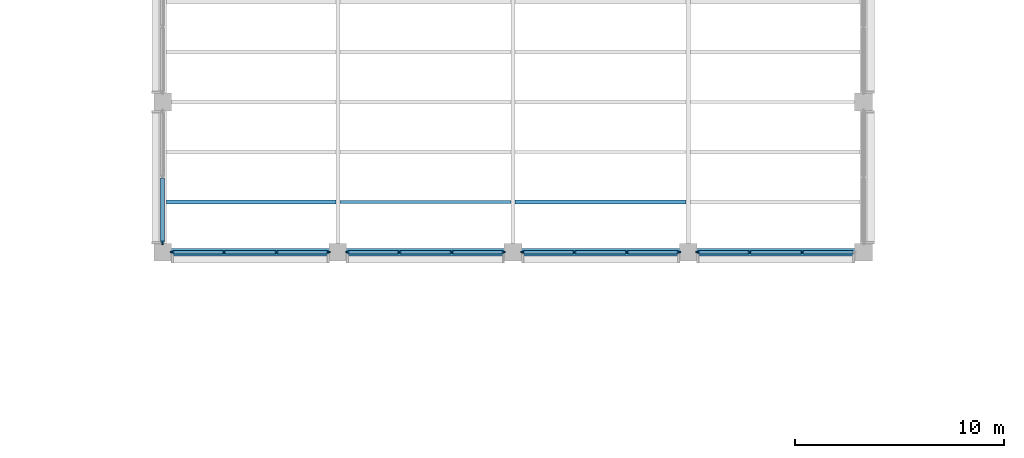
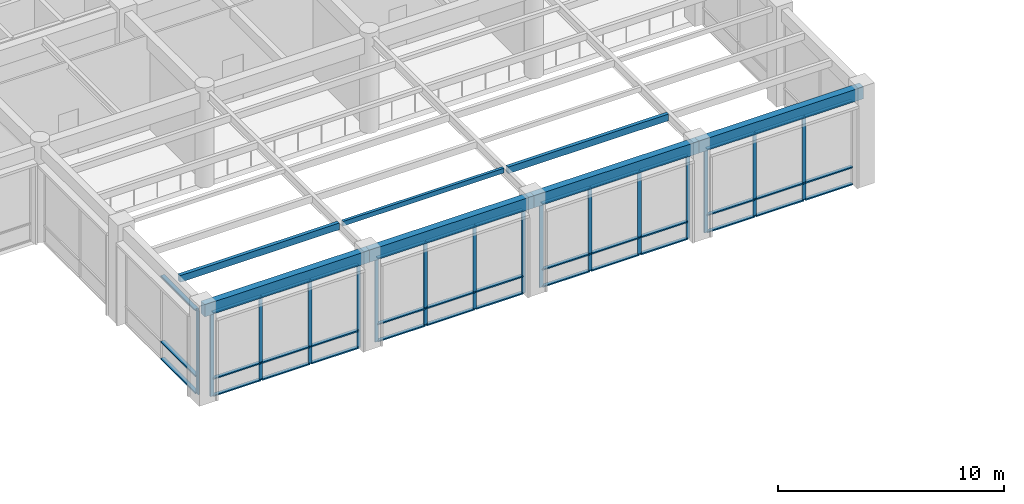
# One storey, part 8 of 58: 57 members, 5 beams, 5 elements without a shape of their own.
"""IFC4 building model written with IfcOpenShell, lengths in metres."""

from ifc_helpers import new_model, si_unit, direction, frame, origin, origin_2d, place, context, subcontext, project, spatial, rectangle, hollow_rectangle, extrude, material, layer, layer_set, material_profile, profile_set, type_object, element, aggregate, save


model = new_model("IFC4")

# Units and contexts
model_context = context("Model", 3, precision=1e-05, world=origin(), true_north=direction((0.0, 1.0)))
body_context = subcontext(model_context, "Body", "Model", "MODEL_VIEW")
ifc_project = project(units=[si_unit("LENGTHUNIT", "METRE"), si_unit("AREAUNIT", "SQUARE_METRE"), si_unit("VOLUMEUNIT", "CUBIC_METRE"), si_unit("PLANEANGLEUNIT", "RADIAN"), si_unit("MASSUNIT", "GRAM", prefix="KILO")], contexts=[model_context])

# Site, building, storey
site_placement = place(None, origin())
site = spatial("IfcSite", under=ifc_project, at=site_placement, CompositionType="ELEMENT")
building_placement = place(site_placement, origin())
building = spatial("IfcBuilding", under=site, at=building_placement, Name="Chengyuan Square Courthouse", CompositionType="ELEMENT")
storey_placement = place(building_placement, frame((0.0, 0.0, 16.199951171875)))
storey = spatial("IfcBuildingStorey", under=building, at=storey_placement, Name="L04", CompositionType="ELEMENT", Elevation=16.199951171875)

# Beams
ifc_material_1 = material(Name="Concrete C40", Category="concrete")
ifc_material_profile_1 = material_profile(ifc_material_1, rectangle(XDim=0.35009765625, YDim=0.64990234375, at=origin_2d()), Name="RC-BM-350x650")
ifc_profile_set_1 = profile_set([ifc_material_profile_1], Name="Concrete C40")
beam_type_1 = type_object("IfcBeamType", Name="BM-03", PredefinedType="SPANDREL", material=ifc_profile_set_1)
beam_1_placement = place(storey_placement, frame((67.199951171875, 64.800048828125, 4.85498046875), z_axis=(1.0, 0.0, 0.0), x_axis=(0.0, 1.0, 0.0)))
element("IfcBeam", 1, at=beam_1_placement, inside=storey, type_object=beam_type_1, Name="Girder BM-L04-2854", PredefinedType="SPANDREL", context=body_context, shape_type="SweptSolid", body=[
    extrude(rectangle(XDim=0.35009765625, YDim=0.64990234375, at=origin_2d()), origin(), (0.0, 0.0, 1.0), 8.400146484375),
])
for number, where, z_axis, x_axis, name in (
    (2, (75.60009765625, 64.800048828125, 4.85498046875), (1.0, 0.0, 0.0), (0.0, 1.0, 0.0), "Girder BM-L04-2855"),
    (3, (84.0, 64.800048828125, 4.85498046875), (1.0, 0.0, 0.0), (0.0, 1.0, 0.0), "Girder BM-L04-2856"),
):
    element("IfcBeam", number, at=place(storey_placement, frame(where, z_axis=z_axis, x_axis=x_axis)), inside=storey, type_object=beam_type_1, Name=name, PredefinedType="SPANDREL", context=body_context, shape_type="SweptSolid", body=[
        extrude(rectangle(XDim=0.35009765625, YDim=0.64990234375, at=origin_2d()), origin(), (0.0, 0.0, 1.0), 8.39990234375),
    ])
beam_2_placement = place(storey_placement, frame((92.39990234375, 64.800048828125, 4.85498046875), z_axis=(1.0, 0.0, 0.0), x_axis=(0.0, 1.0, 0.0)))
element("IfcBeam", 4, at=beam_2_placement, inside=storey, type_object=beam_type_1, Name="Girder BM-L04-2857", PredefinedType="SPANDREL", context=body_context, shape_type="SweptSolid", body=[
    extrude(rectangle(XDim=0.35009765625, YDim=0.64990234375, at=origin_2d()), origin(), (0.0, 0.0, 1.0), 8.400146484375),
])
ifc_material_2 = material(Name="Steel Q355B", Category="steel")
ifc_material_profile_2 = material_profile(ifc_material_2, hollow_rectangle(XDim=0.14990234375, YDim=0.25, WallThickness=0.010009765625, at=origin_2d()), Name="RHS 250x150x10")
ifc_profile_set_2 = profile_set([ifc_material_profile_2], Name="Steel Q355B")
beam_type_2 = type_object("IfcBeamType", Name="BM-10", PredefinedType="BEAM", material=ifc_profile_set_2)
beam_3_placement = place(storey_placement, frame((75.699951171875, 67.199951171875, 5.054931640625), z_axis=(1.0, 0.0, 0.0), x_axis=(0.0, 1.0, 0.0)))
element("IfcBeam", 5, at=beam_3_placement, inside=storey, type_object=beam_type_2, Name="Skylight Framing Beam SKB-L04-06", PredefinedType="BEAM", context=body_context, shape_type="SweptSolid", body=[
    extrude(hollow_rectangle(XDim=0.14990234375, YDim=0.25, WallThickness=0.010009765625, at=origin_2d()), origin(), (0.0, 0.0, 1.0), 8.199951171875),
])

# Curtain wall, members
ifc_material_3 = material(Name="Unitised Aluminium and Triple Low-E Glass", Category="aluminium")
ifc_layer_1 = layer(ifc_material_3, 0.179931640625)
ifc_layer_set_1 = layer_set([ifc_layer_1], Name="Unitised Aluminium and Triple Low-E Glass")
curtain_wall_type_1 = type_object("IfcCurtainWallType", Name="CW-10", PredefinedType="USERDEFINED", material=ifc_layer_set_1)
curtain_wall_1_placement = place(storey_placement, origin())
curtain_wall_1 = element("IfcCurtainWall", 6, at=curtain_wall_1_placement, inside=storey, type_object=curtain_wall_type_1, Name="Unitised Curtain Wall CW-L04-140", ObjectType="UNITISED CURTAIN WALL", PredefinedType="USERDEFINED")
ifc_material_4 = material(Name="Aluminium 6063-T6 Frame", Category="aluminium")
ifc_material_profile_3 = material_profile(ifc_material_4, rectangle(XDim=0.06494140625, YDim=0.179931640625, at=origin_2d()), Name="CW-MUL-65x180")
ifc_profile_set_3 = profile_set([ifc_material_profile_3], Name="Aluminium 6063-T6 Frame")
member_type_1 = type_object("IfcMemberType", Name="CWM-02", PredefinedType="MULLION", material=ifc_profile_set_3)
member_1_placement = place(storey_placement, frame((67.657470703125, 64.800048828125, 0.0), z_axis=(0.0, 0.0, 1.0), x_axis=(0.0, 1.0, 0.0)))
member_1 = element("IfcMember", 7, at=member_1_placement, type_object=member_type_1, Name="CW-10 mullion 1", PredefinedType="MULLION", context=body_context, shape_type="SweptSolid", body=[
    extrude(rectangle(XDim=0.06494140625, YDim=0.179931640625, at=origin_2d()), origin(), (0.0, 0.0, 1.0), 4.530029296875),
])
member_2_placement = place(storey_placement, frame((70.1416015625, 64.800048828125, 0.0), z_axis=(0.0, 0.0, 1.0), x_axis=(0.0, 1.0, 0.0)))
member_2 = element("IfcMember", 8, at=member_2_placement, type_object=member_type_1, Name="CW-10 mullion 2", PredefinedType="MULLION", context=body_context, shape_type="SweptSolid", body=[
    extrude(rectangle(XDim=0.06494140625, YDim=0.179931640625, at=origin_2d()), origin(), (0.0, 0.0, 1.0), 4.530029296875),
])
member_3_placement = place(storey_placement, frame((72.658447265625, 64.800048828125, 0.0), z_axis=(0.0, 0.0, 1.0), x_axis=(0.0, 1.0, 0.0)))
member_3 = element("IfcMember", 9, at=member_3_placement, type_object=member_type_1, Name="CW-10 mullion 3", PredefinedType="MULLION", context=body_context, shape_type="SweptSolid", body=[
    extrude(rectangle(XDim=0.06494140625, YDim=0.179931640625, at=origin_2d()), origin(), (0.0, 0.0, 1.0), 4.530029296875),
])
member_4_placement = place(storey_placement, frame((75.142578125, 64.800048828125, 0.0), z_axis=(0.0, 0.0, 1.0), x_axis=(0.0, 1.0, 0.0)))
member_4 = element("IfcMember", 10, at=member_4_placement, type_object=member_type_1, Name="CW-10 mullion 4", PredefinedType="MULLION", context=body_context, shape_type="SweptSolid", body=[
    extrude(rectangle(XDim=0.06494140625, YDim=0.179931640625, at=origin_2d()), origin(), (0.0, 0.0, 1.0), 4.530029296875),
])

curtain_wall_2_placement = place(storey_placement, origin())
curtain_wall_2 = element("IfcCurtainWall", 11, at=curtain_wall_2_placement, inside=storey, type_object=curtain_wall_type_1, Name="Unitised Curtain Wall CW-L04-143", ObjectType="UNITISED CURTAIN WALL", PredefinedType="USERDEFINED")
member_5_placement = place(storey_placement, frame((76.0576171875, 64.800048828125, 0.0), z_axis=(0.0, 0.0, 1.0), x_axis=(0.0, 1.0, 0.0)))
member_5 = element("IfcMember", 12, at=member_5_placement, type_object=member_type_1, Name="CW-10 mullion 1", PredefinedType="MULLION", context=body_context, shape_type="SweptSolid", body=[
    extrude(rectangle(XDim=0.06494140625, YDim=0.179931640625, at=origin_2d()), origin(), (0.0, 0.0, 1.0), 4.530029296875),
])
member_6_placement = place(storey_placement, frame((78.541748046875, 64.800048828125, 0.0), z_axis=(0.0, 0.0, 1.0), x_axis=(0.0, 1.0, 0.0)))
member_6 = element("IfcMember", 13, at=member_6_placement, type_object=member_type_1, Name="CW-10 mullion 2", PredefinedType="MULLION", context=body_context, shape_type="SweptSolid", body=[
    extrude(rectangle(XDim=0.06494140625, YDim=0.179931640625, at=origin_2d()), origin(), (0.0, 0.0, 1.0), 4.530029296875),
])
member_7_placement = place(storey_placement, frame((81.058349609375, 64.800048828125, 0.0), z_axis=(0.0, 0.0, 1.0), x_axis=(0.0, 1.0, 0.0)))
member_7 = element("IfcMember", 14, at=member_7_placement, type_object=member_type_1, Name="CW-10 mullion 3", PredefinedType="MULLION", context=body_context, shape_type="SweptSolid", body=[
    extrude(rectangle(XDim=0.06494140625, YDim=0.179931640625, at=origin_2d()), origin(), (0.0, 0.0, 1.0), 4.530029296875),
])
member_8_placement = place(storey_placement, frame((83.54248046875, 64.800048828125, 0.0), z_axis=(0.0, 0.0, 1.0), x_axis=(0.0, 1.0, 0.0)))
member_8 = element("IfcMember", 15, at=member_8_placement, type_object=member_type_1, Name="CW-10 mullion 4", PredefinedType="MULLION", context=body_context, shape_type="SweptSolid", body=[
    extrude(rectangle(XDim=0.06494140625, YDim=0.179931640625, at=origin_2d()), origin(), (0.0, 0.0, 1.0), 4.530029296875),
])

curtain_wall_3_placement = place(storey_placement, origin())
curtain_wall_3 = element("IfcCurtainWall", 16, at=curtain_wall_3_placement, inside=storey, type_object=curtain_wall_type_1, Name="Unitised Curtain Wall CW-L04-144", ObjectType="UNITISED CURTAIN WALL", PredefinedType="USERDEFINED")
member_9_placement = place(storey_placement, frame((84.45751953125, 64.800048828125, 0.0), z_axis=(0.0, 0.0, 1.0), x_axis=(0.0, 1.0, 0.0)))
member_9 = element("IfcMember", 17, at=member_9_placement, type_object=member_type_1, Name="CW-10 mullion 1", PredefinedType="MULLION", context=body_context, shape_type="SweptSolid", body=[
    extrude(rectangle(XDim=0.06494140625, YDim=0.179931640625, at=origin_2d()), origin(), (0.0, 0.0, 1.0), 4.530029296875),
])
member_10_placement = place(storey_placement, frame((86.941650390625, 64.800048828125, 0.0), z_axis=(0.0, 0.0, 1.0), x_axis=(0.0, 1.0, 0.0)))
member_10 = element("IfcMember", 18, at=member_10_placement, type_object=member_type_1, Name="CW-10 mullion 2", PredefinedType="MULLION", context=body_context, shape_type="SweptSolid", body=[
    extrude(rectangle(XDim=0.06494140625, YDim=0.179931640625, at=origin_2d()), origin(), (0.0, 0.0, 1.0), 4.530029296875),
])
member_11_placement = place(storey_placement, frame((89.458251953125, 64.800048828125, 0.0), z_axis=(0.0, 0.0, 1.0), x_axis=(0.0, 1.0, 0.0)))
member_11 = element("IfcMember", 19, at=member_11_placement, type_object=member_type_1, Name="CW-10 mullion 3", PredefinedType="MULLION", context=body_context, shape_type="SweptSolid", body=[
    extrude(rectangle(XDim=0.06494140625, YDim=0.179931640625, at=origin_2d()), origin(), (0.0, 0.0, 1.0), 4.530029296875),
])
member_12_placement = place(storey_placement, frame((91.9423828125, 64.800048828125, 0.0), z_axis=(0.0, 0.0, 1.0), x_axis=(0.0, 1.0, 0.0)))
member_12 = element("IfcMember", 20, at=member_12_placement, type_object=member_type_1, Name="CW-10 mullion 4", PredefinedType="MULLION", context=body_context, shape_type="SweptSolid", body=[
    extrude(rectangle(XDim=0.06494140625, YDim=0.179931640625, at=origin_2d()), origin(), (0.0, 0.0, 1.0), 4.530029296875),
])

curtain_wall_4_placement = place(storey_placement, origin())
curtain_wall_4 = element("IfcCurtainWall", 21, at=curtain_wall_4_placement, inside=storey, type_object=curtain_wall_type_1, Name="Unitised Curtain Wall CW-L04-145", ObjectType="UNITISED CURTAIN WALL", PredefinedType="USERDEFINED")
member_13_placement = place(storey_placement, frame((92.857421875, 64.800048828125, 0.0), z_axis=(0.0, 0.0, 1.0), x_axis=(0.0, 1.0, 0.0)))
member_13 = element("IfcMember", 22, at=member_13_placement, type_object=member_type_1, Name="CW-10 mullion 1", PredefinedType="MULLION", context=body_context, shape_type="SweptSolid", body=[
    extrude(rectangle(XDim=0.06494140625, YDim=0.179931640625, at=origin_2d()), origin(), (0.0, 0.0, 1.0), 4.530029296875),
])
member_14_placement = place(storey_placement, frame((95.341552734375, 64.800048828125, 0.0), z_axis=(0.0, 0.0, 1.0), x_axis=(0.0, 1.0, 0.0)))
member_14 = element("IfcMember", 23, at=member_14_placement, type_object=member_type_1, Name="CW-10 mullion 2", PredefinedType="MULLION", context=body_context, shape_type="SweptSolid", body=[
    extrude(rectangle(XDim=0.06494140625, YDim=0.179931640625, at=origin_2d()), origin(), (0.0, 0.0, 1.0), 4.530029296875),
])
member_15_placement = place(storey_placement, frame((97.8583984375, 64.800048828125, 0.0), z_axis=(0.0, 0.0, 1.0), x_axis=(0.0, 1.0, 0.0)))
member_15 = element("IfcMember", 24, at=member_15_placement, type_object=member_type_1, Name="CW-10 mullion 3", PredefinedType="MULLION", context=body_context, shape_type="SweptSolid", body=[
    extrude(rectangle(XDim=0.06494140625, YDim=0.179931640625, at=origin_2d()), origin(), (0.0, 0.0, 1.0), 4.530029296875),
])

# Curtain wall, member
ifc_layer_2 = layer(ifc_material_3, 0.199951171875)
ifc_layer_set_2 = layer_set([ifc_layer_2], Name="Unitised Aluminium and Triple Low-E Glass")
curtain_wall_type_2 = type_object("IfcCurtainWallType", Name="CW-23", PredefinedType="USERDEFINED", material=ifc_layer_set_2)
curtain_wall_5_placement = place(storey_placement, origin())
curtain_wall_5 = element("IfcCurtainWall", 25, at=curtain_wall_5_placement, inside=storey, type_object=curtain_wall_type_2, Name="Unitised Curtain Wall CW-L04-141", ObjectType="UNITISED CURTAIN WALL", PredefinedType="USERDEFINED")
ifc_material_profile_4 = material_profile(ifc_material_4, rectangle(XDim=0.070068359375, YDim=0.199951171875, at=origin_2d()), Name="CW-MUL-70x200")
ifc_profile_set_4 = profile_set([ifc_material_profile_4], Name="Aluminium 6063-T6 Frame")
member_type_2 = type_object("IfcMemberType", Name="CWM-03", PredefinedType="MULLION", material=ifc_profile_set_4)
member_16_placement = place(storey_placement, frame((67.199951171875, 65.260009765625, 0.0), z_axis=(0.0, 0.0, 1.0), x_axis=(-1.0, 0.0, 0.0)))
member_16 = element("IfcMember", 26, at=member_16_placement, type_object=member_type_2, Name="CW-23 mullion 1", PredefinedType="MULLION", context=body_context, shape_type="SweptSolid", body=[
    extrude(rectangle(XDim=0.070068359375, YDim=0.199951171875, at=origin_2d()), origin(), (0.0, 0.0, 1.0), 4.530029296875),
])

# Member
ifc_material_profile_5 = material_profile(ifc_material_4, rectangle(XDim=0.179931640625, YDim=0.06494140625, at=origin_2d()), Name="CW-TRN-65x140")
ifc_profile_set_5 = profile_set([ifc_material_profile_5], Name="Aluminium 6063-T6 Frame")
member_type_3 = type_object("IfcMemberType", Name="CWT-02", PredefinedType="USERDEFINED", material=ifc_profile_set_5)
member_17_placement = place(storey_placement, frame((67.68994140625, 64.800048828125, 0.032470703125), z_axis=(1.0, 0.0, 0.0), x_axis=(0.0, 1.0, 0.0)))
member_17 = element("IfcMember", 27, at=member_17_placement, type_object=member_type_3, Name="CW-10 transom 1.1", ObjectType="TRANSOM", PredefinedType="USERDEFINED", context=body_context, shape_type="SweptSolid", body=[
    extrude(rectangle(XDim=0.179931640625, YDim=0.06494140625, at=origin_2d()), origin(), (0.0, 0.0, 1.0), 2.419189453125),
])

member_18_placement = place(storey_placement, frame((67.68994140625, 64.800048828125, 0.949951171875), z_axis=(1.0, 0.0, 0.0), x_axis=(0.0, 1.0, 0.0)))
member_18 = element("IfcMember", 28, at=member_18_placement, type_object=member_type_3, Name="CW-10 transom 1.2", ObjectType="TRANSOM", PredefinedType="USERDEFINED", context=body_context, shape_type="SweptSolid", body=[
    extrude(rectangle(XDim=0.179931640625, YDim=0.06494140625, at=origin_2d()), origin(), (0.0, 0.0, 1.0), 2.419189453125),
])

member_19_placement = place(storey_placement, frame((67.68994140625, 64.800048828125, 4.49755859375), z_axis=(1.0, 0.0, 0.0), x_axis=(0.0, 1.0, 0.0)))
member_19 = element("IfcMember", 29, at=member_19_placement, type_object=member_type_3, Name="CW-10 transom 1.3", ObjectType="TRANSOM", PredefinedType="USERDEFINED", context=body_context, shape_type="SweptSolid", body=[
    extrude(rectangle(XDim=0.179931640625, YDim=0.06494140625, at=origin_2d()), origin(), (0.0, 0.0, 1.0), 2.419189453125),
])

member_20_placement = place(storey_placement, frame((70.174072265625, 64.800048828125, 0.032470703125), z_axis=(1.0, 0.0, 0.0), x_axis=(0.0, 1.0, 0.0)))
member_20 = element("IfcMember", 30, at=member_20_placement, type_object=member_type_3, Name="CW-10 transom 2.1", ObjectType="TRANSOM", PredefinedType="USERDEFINED", context=body_context, shape_type="SweptSolid", body=[
    extrude(rectangle(XDim=0.179931640625, YDim=0.06494140625, at=origin_2d()), origin(), (0.0, 0.0, 1.0), 2.45166015625),
])

member_21_placement = place(storey_placement, frame((70.174072265625, 64.800048828125, 0.949951171875), z_axis=(1.0, 0.0, 0.0), x_axis=(0.0, 1.0, 0.0)))
member_21 = element("IfcMember", 31, at=member_21_placement, type_object=member_type_3, Name="CW-10 transom 2.2", ObjectType="TRANSOM", PredefinedType="USERDEFINED", context=body_context, shape_type="SweptSolid", body=[
    extrude(rectangle(XDim=0.179931640625, YDim=0.06494140625, at=origin_2d()), origin(), (0.0, 0.0, 1.0), 2.45166015625),
])

member_22_placement = place(storey_placement, frame((70.174072265625, 64.800048828125, 4.49755859375), z_axis=(1.0, 0.0, 0.0), x_axis=(0.0, 1.0, 0.0)))
member_22 = element("IfcMember", 32, at=member_22_placement, type_object=member_type_3, Name="CW-10 transom 2.3", ObjectType="TRANSOM", PredefinedType="USERDEFINED", context=body_context, shape_type="SweptSolid", body=[
    extrude(rectangle(XDim=0.179931640625, YDim=0.06494140625, at=origin_2d()), origin(), (0.0, 0.0, 1.0), 2.45166015625),
])

member_23_placement = place(storey_placement, frame((72.69091796875, 64.800048828125, 0.032470703125), z_axis=(1.0, 0.0, 0.0), x_axis=(0.0, 1.0, 0.0)))
member_23 = element("IfcMember", 33, at=member_23_placement, type_object=member_type_3, Name="CW-10 transom 3.1", ObjectType="TRANSOM", PredefinedType="USERDEFINED", context=body_context, shape_type="SweptSolid", body=[
    extrude(rectangle(XDim=0.179931640625, YDim=0.06494140625, at=origin_2d()), origin(), (0.0, 0.0, 1.0), 2.419189453125),
])

member_24_placement = place(storey_placement, frame((72.69091796875, 64.800048828125, 0.949951171875), z_axis=(1.0, 0.0, 0.0), x_axis=(0.0, 1.0, 0.0)))
member_24 = element("IfcMember", 34, at=member_24_placement, type_object=member_type_3, Name="CW-10 transom 3.2", ObjectType="TRANSOM", PredefinedType="USERDEFINED", context=body_context, shape_type="SweptSolid", body=[
    extrude(rectangle(XDim=0.179931640625, YDim=0.06494140625, at=origin_2d()), origin(), (0.0, 0.0, 1.0), 2.419189453125),
])

member_25_placement = place(storey_placement, frame((72.69091796875, 64.800048828125, 4.49755859375), z_axis=(1.0, 0.0, 0.0), x_axis=(0.0, 1.0, 0.0)))
member_25 = element("IfcMember", 35, at=member_25_placement, type_object=member_type_3, Name="CW-10 transom 3.3", ObjectType="TRANSOM", PredefinedType="USERDEFINED", context=body_context, shape_type="SweptSolid", body=[
    extrude(rectangle(XDim=0.179931640625, YDim=0.06494140625, at=origin_2d()), origin(), (0.0, 0.0, 1.0), 2.419189453125),
])

aggregate(curtain_wall_1, [member_1, member_2, member_3, member_4, member_17, member_18, member_19, member_20, member_21, member_22, member_23, member_24, member_25])

member_26_placement = place(storey_placement, frame((76.090087890625, 64.800048828125, 0.032470703125), z_axis=(1.0, 0.0, 0.0), x_axis=(0.0, 1.0, 0.0)))
member_26 = element("IfcMember", 36, at=member_26_placement, type_object=member_type_3, Name="CW-10 transom 1.1", ObjectType="TRANSOM", PredefinedType="USERDEFINED", context=body_context, shape_type="SweptSolid", body=[
    extrude(rectangle(XDim=0.179931640625, YDim=0.06494140625, at=origin_2d()), origin(), (0.0, 0.0, 1.0), 2.419189453125),
])

member_27_placement = place(storey_placement, frame((76.090087890625, 64.800048828125, 0.949951171875), z_axis=(1.0, 0.0, 0.0), x_axis=(0.0, 1.0, 0.0)))
member_27 = element("IfcMember", 37, at=member_27_placement, type_object=member_type_3, Name="CW-10 transom 1.2", ObjectType="TRANSOM", PredefinedType="USERDEFINED", context=body_context, shape_type="SweptSolid", body=[
    extrude(rectangle(XDim=0.179931640625, YDim=0.06494140625, at=origin_2d()), origin(), (0.0, 0.0, 1.0), 2.419189453125),
])

member_28_placement = place(storey_placement, frame((76.090087890625, 64.800048828125, 4.49755859375), z_axis=(1.0, 0.0, 0.0), x_axis=(0.0, 1.0, 0.0)))
member_28 = element("IfcMember", 38, at=member_28_placement, type_object=member_type_3, Name="CW-10 transom 1.3", ObjectType="TRANSOM", PredefinedType="USERDEFINED", context=body_context, shape_type="SweptSolid", body=[
    extrude(rectangle(XDim=0.179931640625, YDim=0.06494140625, at=origin_2d()), origin(), (0.0, 0.0, 1.0), 2.419189453125),
])

member_29_placement = place(storey_placement, frame((78.57421875, 64.800048828125, 0.032470703125), z_axis=(1.0, 0.0, 0.0), x_axis=(0.0, 1.0, 0.0)))
member_29 = element("IfcMember", 39, at=member_29_placement, type_object=member_type_3, Name="CW-10 transom 2.1", ObjectType="TRANSOM", PredefinedType="USERDEFINED", context=body_context, shape_type="SweptSolid", body=[
    extrude(rectangle(XDim=0.179931640625, YDim=0.06494140625, at=origin_2d()), origin(), (0.0, 0.0, 1.0), 2.45166015625),
])

member_30_placement = place(storey_placement, frame((78.57421875, 64.800048828125, 0.949951171875), z_axis=(1.0, 0.0, 0.0), x_axis=(0.0, 1.0, 0.0)))
member_30 = element("IfcMember", 40, at=member_30_placement, type_object=member_type_3, Name="CW-10 transom 2.2", ObjectType="TRANSOM", PredefinedType="USERDEFINED", context=body_context, shape_type="SweptSolid", body=[
    extrude(rectangle(XDim=0.179931640625, YDim=0.06494140625, at=origin_2d()), origin(), (0.0, 0.0, 1.0), 2.45166015625),
])

member_31_placement = place(storey_placement, frame((78.57421875, 64.800048828125, 4.49755859375), z_axis=(1.0, 0.0, 0.0), x_axis=(0.0, 1.0, 0.0)))
member_31 = element("IfcMember", 41, at=member_31_placement, type_object=member_type_3, Name="CW-10 transom 2.3", ObjectType="TRANSOM", PredefinedType="USERDEFINED", context=body_context, shape_type="SweptSolid", body=[
    extrude(rectangle(XDim=0.179931640625, YDim=0.06494140625, at=origin_2d()), origin(), (0.0, 0.0, 1.0), 2.45166015625),
])

member_32_placement = place(storey_placement, frame((81.0908203125, 64.800048828125, 0.032470703125), z_axis=(1.0, 0.0, 0.0), x_axis=(0.0, 1.0, 0.0)))
member_32 = element("IfcMember", 42, at=member_32_placement, type_object=member_type_3, Name="CW-10 transom 3.1", ObjectType="TRANSOM", PredefinedType="USERDEFINED", context=body_context, shape_type="SweptSolid", body=[
    extrude(rectangle(XDim=0.179931640625, YDim=0.06494140625, at=origin_2d()), origin(), (0.0, 0.0, 1.0), 2.419189453125),
])

member_33_placement = place(storey_placement, frame((81.0908203125, 64.800048828125, 0.949951171875), z_axis=(1.0, 0.0, 0.0), x_axis=(0.0, 1.0, 0.0)))
member_33 = element("IfcMember", 43, at=member_33_placement, type_object=member_type_3, Name="CW-10 transom 3.2", ObjectType="TRANSOM", PredefinedType="USERDEFINED", context=body_context, shape_type="SweptSolid", body=[
    extrude(rectangle(XDim=0.179931640625, YDim=0.06494140625, at=origin_2d()), origin(), (0.0, 0.0, 1.0), 2.419189453125),
])

member_34_placement = place(storey_placement, frame((81.0908203125, 64.800048828125, 4.49755859375), z_axis=(1.0, 0.0, 0.0), x_axis=(0.0, 1.0, 0.0)))
member_34 = element("IfcMember", 44, at=member_34_placement, type_object=member_type_3, Name="CW-10 transom 3.3", ObjectType="TRANSOM", PredefinedType="USERDEFINED", context=body_context, shape_type="SweptSolid", body=[
    extrude(rectangle(XDim=0.179931640625, YDim=0.06494140625, at=origin_2d()), origin(), (0.0, 0.0, 1.0), 2.419189453125),
])

aggregate(curtain_wall_2, [member_5, member_6, member_7, member_8, member_26, member_27, member_28, member_29, member_30, member_31, member_32, member_33, member_34])

member_35_placement = place(storey_placement, frame((84.489990234375, 64.800048828125, 0.032470703125), z_axis=(1.0, 0.0, 0.0), x_axis=(0.0, 1.0, 0.0)))
member_35 = element("IfcMember", 45, at=member_35_placement, type_object=member_type_3, Name="CW-10 transom 1.1", ObjectType="TRANSOM", PredefinedType="USERDEFINED", context=body_context, shape_type="SweptSolid", body=[
    extrude(rectangle(XDim=0.179931640625, YDim=0.06494140625, at=origin_2d()), origin(), (0.0, 0.0, 1.0), 2.419189453125),
])

member_36_placement = place(storey_placement, frame((84.489990234375, 64.800048828125, 0.949951171875), z_axis=(1.0, 0.0, 0.0), x_axis=(0.0, 1.0, 0.0)))
member_36 = element("IfcMember", 46, at=member_36_placement, type_object=member_type_3, Name="CW-10 transom 1.2", ObjectType="TRANSOM", PredefinedType="USERDEFINED", context=body_context, shape_type="SweptSolid", body=[
    extrude(rectangle(XDim=0.179931640625, YDim=0.06494140625, at=origin_2d()), origin(), (0.0, 0.0, 1.0), 2.419189453125),
])

member_37_placement = place(storey_placement, frame((84.489990234375, 64.800048828125, 4.49755859375), z_axis=(1.0, 0.0, 0.0), x_axis=(0.0, 1.0, 0.0)))
member_37 = element("IfcMember", 47, at=member_37_placement, type_object=member_type_3, Name="CW-10 transom 1.3", ObjectType="TRANSOM", PredefinedType="USERDEFINED", context=body_context, shape_type="SweptSolid", body=[
    extrude(rectangle(XDim=0.179931640625, YDim=0.06494140625, at=origin_2d()), origin(), (0.0, 0.0, 1.0), 2.419189453125),
])

member_38_placement = place(storey_placement, frame((86.97412109375, 64.800048828125, 0.032470703125), z_axis=(1.0, 0.0, 0.0), x_axis=(0.0, 1.0, 0.0)))
member_38 = element("IfcMember", 48, at=member_38_placement, type_object=member_type_3, Name="CW-10 transom 2.1", ObjectType="TRANSOM", PredefinedType="USERDEFINED", context=body_context, shape_type="SweptSolid", body=[
    extrude(rectangle(XDim=0.179931640625, YDim=0.06494140625, at=origin_2d()), origin(), (0.0, 0.0, 1.0), 2.45166015625),
])

member_39_placement = place(storey_placement, frame((86.97412109375, 64.800048828125, 0.949951171875), z_axis=(1.0, 0.0, 0.0), x_axis=(0.0, 1.0, 0.0)))
member_39 = element("IfcMember", 49, at=member_39_placement, type_object=member_type_3, Name="CW-10 transom 2.2", ObjectType="TRANSOM", PredefinedType="USERDEFINED", context=body_context, shape_type="SweptSolid", body=[
    extrude(rectangle(XDim=0.179931640625, YDim=0.06494140625, at=origin_2d()), origin(), (0.0, 0.0, 1.0), 2.45166015625),
])

member_40_placement = place(storey_placement, frame((86.97412109375, 64.800048828125, 4.49755859375), z_axis=(1.0, 0.0, 0.0), x_axis=(0.0, 1.0, 0.0)))
member_40 = element("IfcMember", 50, at=member_40_placement, type_object=member_type_3, Name="CW-10 transom 2.3", ObjectType="TRANSOM", PredefinedType="USERDEFINED", context=body_context, shape_type="SweptSolid", body=[
    extrude(rectangle(XDim=0.179931640625, YDim=0.06494140625, at=origin_2d()), origin(), (0.0, 0.0, 1.0), 2.45166015625),
])

member_41_placement = place(storey_placement, frame((89.49072265625, 64.800048828125, 0.032470703125), z_axis=(1.0, 0.0, 0.0), x_axis=(0.0, 1.0, 0.0)))
member_41 = element("IfcMember", 51, at=member_41_placement, type_object=member_type_3, Name="CW-10 transom 3.1", ObjectType="TRANSOM", PredefinedType="USERDEFINED", context=body_context, shape_type="SweptSolid", body=[
    extrude(rectangle(XDim=0.179931640625, YDim=0.06494140625, at=origin_2d()), origin(), (0.0, 0.0, 1.0), 2.419189453125),
])

member_42_placement = place(storey_placement, frame((89.49072265625, 64.800048828125, 0.949951171875), z_axis=(1.0, 0.0, 0.0), x_axis=(0.0, 1.0, 0.0)))
member_42 = element("IfcMember", 52, at=member_42_placement, type_object=member_type_3, Name="CW-10 transom 3.2", ObjectType="TRANSOM", PredefinedType="USERDEFINED", context=body_context, shape_type="SweptSolid", body=[
    extrude(rectangle(XDim=0.179931640625, YDim=0.06494140625, at=origin_2d()), origin(), (0.0, 0.0, 1.0), 2.419189453125),
])

member_43_placement = place(storey_placement, frame((89.49072265625, 64.800048828125, 4.49755859375), z_axis=(1.0, 0.0, 0.0), x_axis=(0.0, 1.0, 0.0)))
member_43 = element("IfcMember", 53, at=member_43_placement, type_object=member_type_3, Name="CW-10 transom 3.3", ObjectType="TRANSOM", PredefinedType="USERDEFINED", context=body_context, shape_type="SweptSolid", body=[
    extrude(rectangle(XDim=0.179931640625, YDim=0.06494140625, at=origin_2d()), origin(), (0.0, 0.0, 1.0), 2.419189453125),
])

aggregate(curtain_wall_3, [member_9, member_10, member_11, member_12, member_35, member_36, member_37, member_38, member_39, member_40, member_41, member_42, member_43])

member_44_placement = place(storey_placement, frame((92.889892578125, 64.800048828125, 0.032470703125), z_axis=(1.0, 0.0, 0.0), x_axis=(0.0, 1.0, 0.0)))
member_44 = element("IfcMember", 54, at=member_44_placement, type_object=member_type_3, Name="CW-10 transom 1.1", ObjectType="TRANSOM", PredefinedType="USERDEFINED", context=body_context, shape_type="SweptSolid", body=[
    extrude(rectangle(XDim=0.179931640625, YDim=0.06494140625, at=origin_2d()), origin(), (0.0, 0.0, 1.0), 2.419189453125),
])

member_45_placement = place(storey_placement, frame((92.889892578125, 64.800048828125, 0.949951171875), z_axis=(1.0, 0.0, 0.0), x_axis=(0.0, 1.0, 0.0)))
member_45 = element("IfcMember", 55, at=member_45_placement, type_object=member_type_3, Name="CW-10 transom 1.2", ObjectType="TRANSOM", PredefinedType="USERDEFINED", context=body_context, shape_type="SweptSolid", body=[
    extrude(rectangle(XDim=0.179931640625, YDim=0.06494140625, at=origin_2d()), origin(), (0.0, 0.0, 1.0), 2.419189453125),
])

member_46_placement = place(storey_placement, frame((92.889892578125, 64.800048828125, 4.49755859375), z_axis=(1.0, 0.0, 0.0), x_axis=(0.0, 1.0, 0.0)))
member_46 = element("IfcMember", 56, at=member_46_placement, type_object=member_type_3, Name="CW-10 transom 1.3", ObjectType="TRANSOM", PredefinedType="USERDEFINED", context=body_context, shape_type="SweptSolid", body=[
    extrude(rectangle(XDim=0.179931640625, YDim=0.06494140625, at=origin_2d()), origin(), (0.0, 0.0, 1.0), 2.419189453125),
])

member_47_placement = place(storey_placement, frame((95.374267578125, 64.800048828125, 0.032470703125), z_axis=(1.0, 0.0, 0.0), x_axis=(0.0, 1.0, 0.0)))
member_47 = element("IfcMember", 57, at=member_47_placement, type_object=member_type_3, Name="CW-10 transom 2.1", ObjectType="TRANSOM", PredefinedType="USERDEFINED", context=body_context, shape_type="SweptSolid", body=[
    extrude(rectangle(XDim=0.179931640625, YDim=0.06494140625, at=origin_2d()), origin(), (0.0, 0.0, 1.0), 2.45166015625),
])

member_48_placement = place(storey_placement, frame((95.374267578125, 64.800048828125, 0.949951171875), z_axis=(1.0, 0.0, 0.0), x_axis=(0.0, 1.0, 0.0)))
member_48 = element("IfcMember", 58, at=member_48_placement, type_object=member_type_3, Name="CW-10 transom 2.2", ObjectType="TRANSOM", PredefinedType="USERDEFINED", context=body_context, shape_type="SweptSolid", body=[
    extrude(rectangle(XDim=0.179931640625, YDim=0.06494140625, at=origin_2d()), origin(), (0.0, 0.0, 1.0), 2.45166015625),
])

member_49_placement = place(storey_placement, frame((95.374267578125, 64.800048828125, 4.49755859375), z_axis=(1.0, 0.0, 0.0), x_axis=(0.0, 1.0, 0.0)))
member_49 = element("IfcMember", 59, at=member_49_placement, type_object=member_type_3, Name="CW-10 transom 2.3", ObjectType="TRANSOM", PredefinedType="USERDEFINED", context=body_context, shape_type="SweptSolid", body=[
    extrude(rectangle(XDim=0.179931640625, YDim=0.06494140625, at=origin_2d()), origin(), (0.0, 0.0, 1.0), 2.45166015625),
])

member_50_placement = place(storey_placement, frame((97.890869140625, 64.800048828125, 0.032470703125), z_axis=(1.0, 0.0, 0.0), x_axis=(0.0, 1.0, 0.0)))
member_50 = element("IfcMember", 60, at=member_50_placement, type_object=member_type_3, Name="CW-10 transom 3.1", ObjectType="TRANSOM", PredefinedType="USERDEFINED", context=body_context, shape_type="SweptSolid", body=[
    extrude(rectangle(XDim=0.179931640625, YDim=0.06494140625, at=origin_2d()), origin(), (0.0, 0.0, 1.0), 2.419189453125),
])

member_51_placement = place(storey_placement, frame((97.890869140625, 64.800048828125, 0.949951171875), z_axis=(1.0, 0.0, 0.0), x_axis=(0.0, 1.0, 0.0)))
member_51 = element("IfcMember", 61, at=member_51_placement, type_object=member_type_3, Name="CW-10 transom 3.2", ObjectType="TRANSOM", PredefinedType="USERDEFINED", context=body_context, shape_type="SweptSolid", body=[
    extrude(rectangle(XDim=0.179931640625, YDim=0.06494140625, at=origin_2d()), origin(), (0.0, 0.0, 1.0), 2.419189453125),
])

member_52_placement = place(storey_placement, frame((97.890869140625, 64.800048828125, 4.49755859375), z_axis=(1.0, 0.0, 0.0), x_axis=(0.0, 1.0, 0.0)))
member_52 = element("IfcMember", 62, at=member_52_placement, type_object=member_type_3, Name="CW-10 transom 3.3", ObjectType="TRANSOM", PredefinedType="USERDEFINED", context=body_context, shape_type="SweptSolid", body=[
    extrude(rectangle(XDim=0.179931640625, YDim=0.06494140625, at=origin_2d()), origin(), (0.0, 0.0, 1.0), 2.419189453125),
])

aggregate(curtain_wall_4, [member_13, member_14, member_15, member_44, member_45, member_46, member_47, member_48, member_49, member_50, member_51, member_52])

ifc_material_profile_6 = material_profile(ifc_material_4, rectangle(XDim=0.199951171875, YDim=0.070068359375, at=origin_2d()), Name="CW-TRN-70x160")
ifc_profile_set_6 = profile_set([ifc_material_profile_6], Name="Aluminium 6063-T6 Frame")
member_type_4 = type_object("IfcMemberType", Name="CWT-03", PredefinedType="USERDEFINED", material=ifc_profile_set_6)
member_53_placement = place(storey_placement, frame((67.199951171875, 65.294921875, 0.03515625), z_axis=(0.0, 1.0, 0.0), x_axis=(-1.0, 0.0, 0.0)))
member_53 = element("IfcMember", 63, at=member_53_placement, type_object=member_type_4, Name="CW-23 transom 1.1", ObjectType="TRANSOM", PredefinedType="USERDEFINED", context=body_context, shape_type="SweptSolid", body=[
    extrude(rectangle(XDim=0.199951171875, YDim=0.070068359375, at=origin_2d()), origin(), (0.0, 0.0, 1.0), 3.070068359375),
])

member_54_placement = place(storey_placement, frame((67.199951171875, 65.294921875, 0.949951171875), z_axis=(0.0, 1.0, 0.0), x_axis=(-1.0, 0.0, 0.0)))
member_54 = element("IfcMember", 64, at=member_54_placement, type_object=member_type_4, Name="CW-23 transom 1.2", ObjectType="TRANSOM", PredefinedType="USERDEFINED", context=body_context, shape_type="SweptSolid", body=[
    extrude(rectangle(XDim=0.199951171875, YDim=0.070068359375, at=origin_2d()), origin(), (0.0, 0.0, 1.0), 3.070068359375),
])

member_55_placement = place(storey_placement, frame((67.199951171875, 65.294921875, 4.4951171875), z_axis=(0.0, 1.0, 0.0), x_axis=(-1.0, 0.0, 0.0)))
member_55 = element("IfcMember", 65, at=member_55_placement, type_object=member_type_4, Name="CW-23 transom 1.3", ObjectType="TRANSOM", PredefinedType="USERDEFINED", context=body_context, shape_type="SweptSolid", body=[
    extrude(rectangle(XDim=0.199951171875, YDim=0.070068359375, at=origin_2d()), origin(), (0.0, 0.0, 1.0), 3.070068359375),
])

aggregate(curtain_wall_5, [member_16, member_53, member_54, member_55])

# Members
ifc_material_5 = material(Name="Glulam TCt28", Category="wood")
ifc_material_profile_7 = material_profile(ifc_material_5, rectangle(XDim=0.179931640625, YDim=0.360107421875, at=origin_2d()), Name="GL-PRL-180x360")
ifc_profile_set_7 = profile_set([ifc_material_profile_7], Name="Glulam TCt28")
member_type_5 = type_object("IfcMemberType", Name="PRL-01", PredefinedType="PURLIN", material=ifc_profile_set_7)
member_56_placement = place(storey_placement, frame((67.375, 67.199951171875, 5.0), z_axis=(1.0, 0.0, 0.0), x_axis=(0.0, 1.0, 0.0)))
element("IfcMember", 66, at=member_56_placement, inside=storey, type_object=member_type_5, Name="Glulam Skylight Acoustic Purlin PRL-SKY-01", PredefinedType="PURLIN", context=body_context, shape_type="SweptSolid", body=[
    extrude(rectangle(XDim=0.179931640625, YDim=0.360107421875, at=origin_2d()), origin(), (0.0, 0.0, 1.0), 8.125),
])
member_57_placement = place(storey_placement, frame((84.10009765625, 67.199951171875, 5.0), z_axis=(1.0, 0.0, 0.0), x_axis=(0.0, 1.0, 0.0)))
element("IfcMember", 67, at=member_57_placement, inside=storey, type_object=member_type_5, Name="Glulam Skylight Acoustic Purlin PRL-SKY-11", PredefinedType="PURLIN", context=body_context, shape_type="SweptSolid", body=[
    extrude(rectangle(XDim=0.179931640625, YDim=0.360107421875, at=origin_2d()), origin(), (0.0, 0.0, 1.0), 8.199951171875),
])

save(model, "model.ifc")
